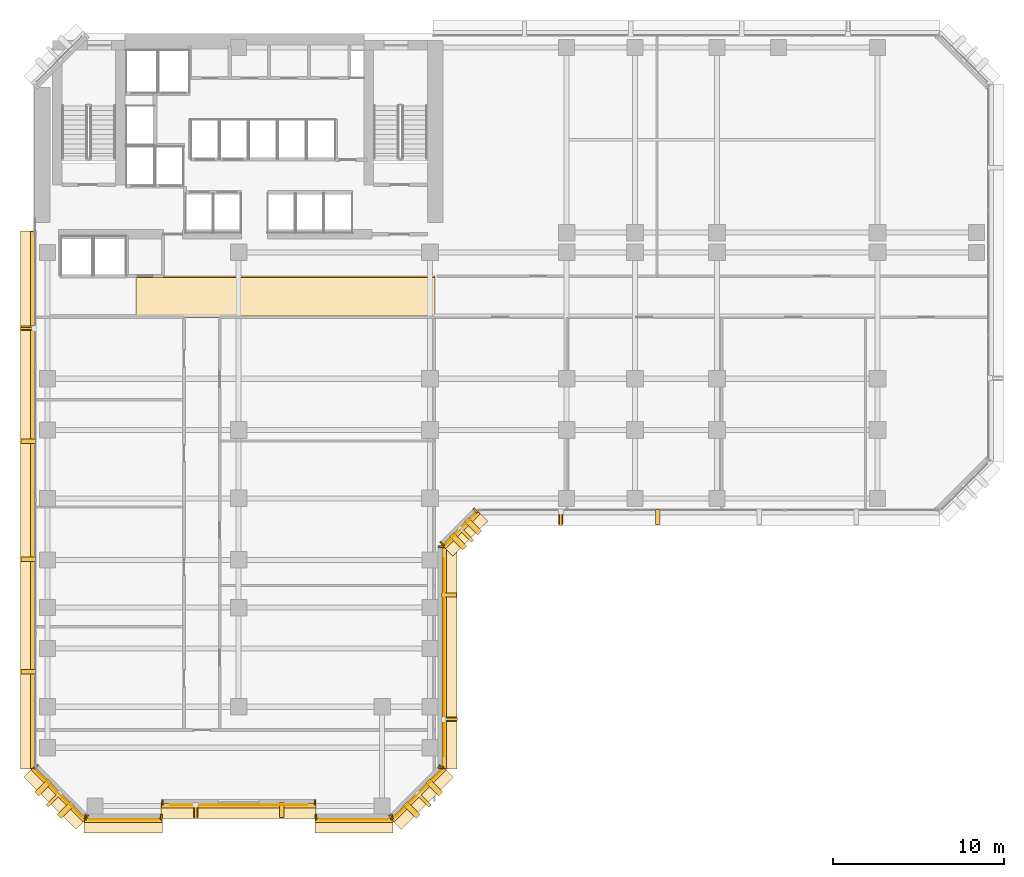
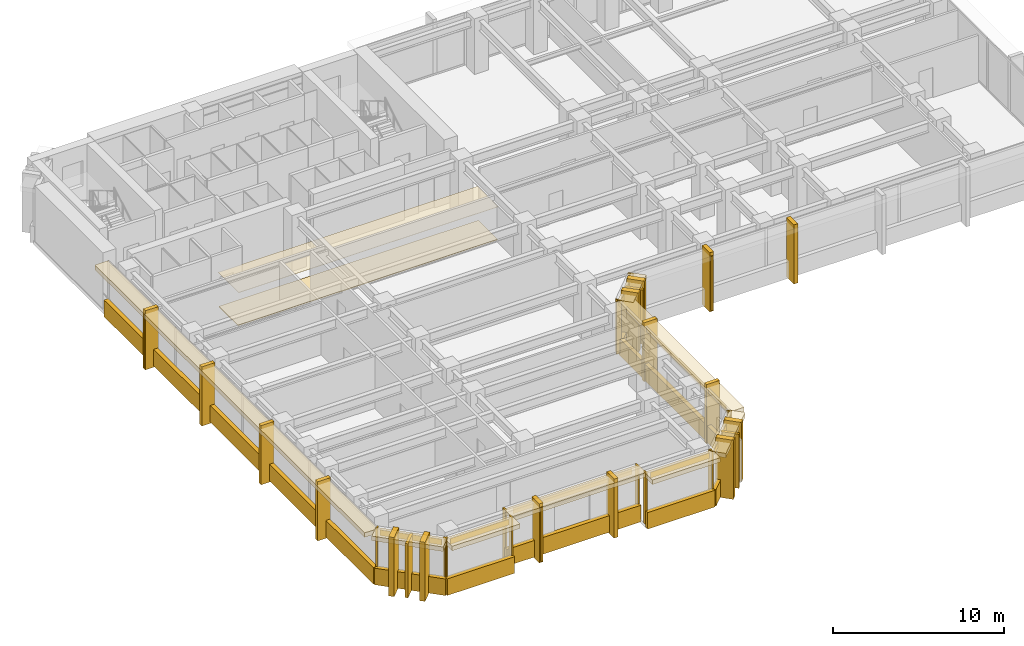
# One storey, part 10 of 14: 55 coverings, 7 shading devices.
"""IFC4 building model written with IfcOpenShell, lengths in metres."""

from ifc_helpers import new_model, si_unit, direction, frame, origin, origin_2d, place, context, subcontext, project, spatial, polyline, rectangle, outline, extrude, material, layer, layer_set, material_profile, profile_set, type_object, element, save


model = new_model("IFC4")

# Units and contexts
model_context = context("Model", 3, precision=1e-05, world=origin(), true_north=direction((0.0, 1.0)))
body_context = subcontext(model_context, "Body", "Model", "MODEL_VIEW")
ifc_project = project(units=[si_unit("LENGTHUNIT", "METRE"), si_unit("AREAUNIT", "SQUARE_METRE"), si_unit("VOLUMEUNIT", "CUBIC_METRE"), si_unit("PLANEANGLEUNIT", "RADIAN"), si_unit("MASSUNIT", "GRAM", prefix="KILO")], contexts=[model_context])

# Site, building, storey
site_placement = place(None, origin())
site = spatial("IfcSite", under=ifc_project, at=site_placement, CompositionType="ELEMENT")
building_placement = place(site_placement, origin())
building = spatial("IfcBuilding", under=site, at=building_placement, Name="Kefirva Bronze Tower", CompositionType="ELEMENT")
storey_placement = place(building_placement, frame((0.0, 0.0, 50.159912109375)))
storey = spatial("IfcBuildingStorey", under=building, at=storey_placement, Name="L11", CompositionType="ELEMENT", Elevation=50.159912109375)

# Coverings
ifc_material_1 = material(Name="Acoustic mineral tile")
ifc_layer_1 = layer(ifc_material_1, 0.02490234375, Name="Acoustic mineral tile")
ifc_layer_set_1 = layer_set([ifc_layer_1], Name="Acoustic mineral tile")
covering_type_1 = type_object("IfcCoveringType", Name="Acoustic Mineral Suspended Ceiling 25mm", PredefinedType="CEILING", material=ifc_layer_set_1)
covering_1_placement = place(storey_placement, frame((0.0, 0.0, 2.400146484375)))
element("IfcCovering", 1, at=covering_1_placement, inside=storey, type_object=covering_type_1, Name="L11 Corridor Acoustic Ceiling", PredefinedType="CEILING", context=body_context, shape_type="SweptSolid", body=[
    extrude(outline(polyline([(6.0, 29.39990234375), (23.5, 29.39990234375), (23.5, 31.800048828125), (6.0, 31.800048828125), (6.0, 29.39990234375)])), origin(), (0.0, 0.0, 1.0), 0.02490234375),
])
ifc_material_2 = material(Name="Bronze anodised aluminium", Category="aluminium")
ifc_layer_2 = layer(ifc_material_2, 0.02001953125, Name="Bronze anodised aluminium")
ifc_layer_set_2 = layer_set([ifc_layer_2], Name="Bronze anodised aluminium")
covering_type_2 = type_object("IfcCoveringType", Name="Anodised Bronze Spandrel Cladding 20mm", PredefinedType="CLADDING", material=ifc_layer_set_2)
covering_2_placement = place(storey_placement, frame((5.25, -0.010009765625, 3.2900390625), z_axis=(0.0, 0.0, 1.0), x_axis=(1.0, 0.0, 0.0)))
element("IfcCovering", 2, at=covering_2_placement, inside=storey, type_object=covering_type_2, Name="L11 Bronze Spandrel Cladding 1", PredefinedType="CLADDING", context=body_context, shape_type="SweptSolid", body=[
    extrude(rectangle(XDim=3.950927734375, YDim=0.02001953125, at=origin_2d()), origin(), (0.0, 0.0, 1.0), 0.39990234375),
])
for number, where, z_axis, x_axis, name in (
    (3, (3.034912109375, 0.159912109375, 0.0), (0.0, 0.0, 1.0), (1.0, 0.0, 0.0), "L11 Facade Joint Closure Panel 1S"),
    (4, (7.465087890625, 0.159912109375, 0.0), (0.0, 0.0, 1.0), (1.0, 0.0, 0.0), "L11 Facade Joint Closure Panel 1E"),
):
    element("IfcCovering", number, at=place(storey_placement, frame(where, z_axis=z_axis, x_axis=x_axis)), inside=storey, type_object=covering_type_2, Name=name, PredefinedType="CLADDING", context=body_context, shape_type="SweptSolid", body=[
        extrude(rectangle(XDim=0.10009765625, YDim=0.320068359375, at=origin_2d()), origin(), (0.0, 0.0, 1.0), 3.7099609375),
    ])
covering_3_placement = place(storey_placement, frame((5.25, -0.0400390625, -0.15966796875), z_axis=(0.0, 0.0, 1.0), x_axis=(1.0, 0.0, 0.0)))
element("IfcCovering", 5, at=covering_3_placement, inside=storey, type_object=covering_type_2, Name="L11 Streamline Horizontal Spandrel Band 0", PredefinedType="CLADDING", context=body_context, shape_type="SweptSolid", body=[
    extrude(rectangle(XDim=4.5400390625, YDim=0.280029296875, at=origin_2d()), origin(), (0.0, 0.0, 1.0), 1.179931640625),
])
covering_4_placement = place(storey_placement, frame((12.0, 0.840087890625, 3.2900390625), z_axis=(0.0, 0.0, 1.0), x_axis=(1.0, 0.0, 0.0)))
element("IfcCovering", 6, at=covering_4_placement, inside=storey, type_object=covering_type_2, Name="L11 Bronze Spandrel Cladding 2", PredefinedType="CLADDING", context=body_context, shape_type="SweptSolid", body=[
    extrude(rectangle(XDim=8.0009765625, YDim=0.02001953125, at=origin_2d()), origin(), (0.0, 0.0, 1.0), 0.39990234375),
])
for number, where, z_axis, x_axis, name in (
    (7, (7.534912109375, 1.010009765625, 0.0), (0.0, 0.0, 1.0), (1.0, 0.0, 0.0), "L11 Facade Joint Closure Panel 2S"),
    (8, (16.465087890625, 1.010009765625, 0.0), (0.0, 0.0, 1.0), (1.0, 0.0, 0.0), "L11 Facade Joint Closure Panel 2E"),
):
    element("IfcCovering", number, at=place(storey_placement, frame(where, z_axis=z_axis, x_axis=x_axis)), inside=storey, type_object=covering_type_2, Name=name, PredefinedType="CLADDING", context=body_context, shape_type="SweptSolid", body=[
        extrude(rectangle(XDim=0.10009765625, YDim=0.320068359375, at=origin_2d()), origin(), (0.0, 0.0, 1.0), 3.7099609375),
    ])
covering_5_placement = place(storey_placement, frame((12.0, 0.81005859375, -0.15966796875), z_axis=(0.0, 0.0, 1.0), x_axis=(1.0, 0.0, 0.0)))
element("IfcCovering", 9, at=covering_5_placement, inside=storey, type_object=covering_type_2, Name="L11 Streamline Horizontal Spandrel Band 2", PredefinedType="CLADDING", context=body_context, shape_type="SweptSolid", body=[
    extrude(rectangle(XDim=9.0400390625, YDim=0.280029296875, at=origin_2d()), origin(), (0.0, 0.0, 1.0), 1.179931640625),
])
covering_6_placement = place(storey_placement, frame((18.75, -0.010009765625, 3.2900390625), z_axis=(0.0, 0.0, 1.0), x_axis=(1.0, 0.0, 0.0)))
element("IfcCovering", 10, at=covering_6_placement, inside=storey, type_object=covering_type_2, Name="L11 Bronze Spandrel Cladding 3", PredefinedType="CLADDING", context=body_context, shape_type="SweptSolid", body=[
    extrude(rectangle(XDim=3.950927734375, YDim=0.02001953125, at=origin_2d()), origin(), (0.0, 0.0, 1.0), 0.39990234375),
])
for number, where, z_axis, x_axis, name in (
    (11, (16.534912109375, 0.159912109375, 0.0), (0.0, 0.0, 1.0), (1.0, 0.0, 0.0), "L11 Facade Joint Closure Panel 3S"),
    (12, (20.965087890625, 0.159912109375, 0.0), (0.0, 0.0, 1.0), (1.0, 0.0, 0.0), "L11 Facade Joint Closure Panel 3E"),
):
    element("IfcCovering", number, at=place(storey_placement, frame(where, z_axis=z_axis, x_axis=x_axis)), inside=storey, type_object=covering_type_2, Name=name, PredefinedType="CLADDING", context=body_context, shape_type="SweptSolid", body=[
        extrude(rectangle(XDim=0.10009765625, YDim=0.320068359375, at=origin_2d()), origin(), (0.0, 0.0, 1.0), 3.7099609375),
    ])
covering_7_placement = place(storey_placement, frame((18.75, -0.0400390625, -0.15966796875), z_axis=(0.0, 0.0, 1.0), x_axis=(1.0, 0.0, 0.0)))
element("IfcCovering", 13, at=covering_7_placement, inside=storey, type_object=covering_type_2, Name="L11 Streamline Horizontal Spandrel Band 4", PredefinedType="CLADDING", context=body_context, shape_type="SweptSolid", body=[
    extrude(rectangle(XDim=4.5400390625, YDim=0.280029296875, at=origin_2d()), origin(), (0.0, 0.0, 1.0), 1.179931640625),
])
covering_8_placement = place(storey_placement, frame((22.507080078125, 1.492919921875, 3.2900390625), z_axis=(0.0, 0.0, 1.0), x_axis=(0.707106781187, 0.707106781187, 0.0)))
element("IfcCovering", 14, at=covering_8_placement, inside=storey, type_object=covering_type_2, Name="L11 Bronze Spandrel Cladding 4", PredefinedType="CLADDING", context=body_context, shape_type="SweptSolid", body=[
    extrude(rectangle(XDim=3.719482421875, YDim=0.02001953125, at=origin_2d()), origin(), (0.0, 0.0, 1.0), 0.39990234375),
])
for number, where, z_axis, x_axis, name in (
    (15, (20.91162109375, 0.137939453125, 0.0), (0.0, 0.0, 1.0), (0.707106781187, 0.707106781187, 0.0), "L11 Facade Joint Closure Panel 4S"),
    (16, (23.862060546875, 3.08837890625, 0.0), (0.0, 0.0, 1.0), (0.707106781187, 0.707106781187, 0.0), "L11 Facade Joint Closure Panel 4E"),
):
    element("IfcCovering", number, at=place(storey_placement, frame(where, z_axis=z_axis, x_axis=x_axis)), inside=storey, type_object=covering_type_2, Name=name, PredefinedType="CLADDING", context=body_context, shape_type="SweptSolid", body=[
        extrude(rectangle(XDim=0.10009765625, YDim=0.320068359375, at=origin_2d()), origin(), (0.0, 0.0, 1.0), 3.7099609375),
    ])
covering_9_placement = place(storey_placement, frame((22.5283203125, 1.4716796875, -0.15966796875), z_axis=(0.0, 0.0, 1.0), x_axis=(0.707106781187, 0.707106781187, 0.0)))
element("IfcCovering", 17, at=covering_9_placement, inside=storey, type_object=covering_type_2, Name="L11 Streamline Horizontal Spandrel Band 5", PredefinedType="CLADDING", context=body_context, shape_type="SweptSolid", body=[
    extrude(rectangle(XDim=4.28271484375, YDim=0.280029296875, at=origin_2d()), origin(), (0.0, 0.0, 1.0), 1.179931640625),
])
covering_10_placement = place(storey_placement, frame((24.010009765625, 9.5, 3.2900390625), z_axis=(0.0, 0.0, 1.0), x_axis=(0.0, 1.0, 0.0)))
element("IfcCovering", 18, at=covering_10_placement, inside=storey, type_object=covering_type_2, Name="L11 Bronze Spandrel Cladding 5", PredefinedType="CLADDING", context=body_context, shape_type="SweptSolid", body=[
    extrude(rectangle(XDim=11.60107421875, YDim=0.02001953125, at=origin_2d()), origin(), (0.0, 0.0, 1.0), 0.39990234375),
])
for number, where, z_axis, x_axis, name in (
    (19, (23.840087890625, 3.034912109375, 0.0), (0.0, 0.0, 1.0), (0.0, 1.0, 0.0), "L11 Facade Joint Closure Panel 5S"),
    (20, (23.840087890625, 15.965087890625, 0.0), (0.0, 0.0, 1.0), (0.0, 1.0, 0.0), "L11 Facade Joint Closure Panel 5E"),
):
    element("IfcCovering", number, at=place(storey_placement, frame(where, z_axis=z_axis, x_axis=x_axis)), inside=storey, type_object=covering_type_2, Name=name, PredefinedType="CLADDING", context=body_context, shape_type="SweptSolid", body=[
        extrude(rectangle(XDim=0.10009765625, YDim=0.320068359375, at=origin_2d()), origin(), (0.0, 0.0, 1.0), 3.7099609375),
    ])
covering_11_placement = place(storey_placement, frame((24.0400390625, 9.5, -0.15966796875), z_axis=(0.0, 0.0, 1.0), x_axis=(0.0, 1.0, 0.0)))
element("IfcCovering", 21, at=covering_11_placement, inside=storey, type_object=covering_type_2, Name="L11 Streamline Horizontal Spandrel Band 6", PredefinedType="CLADDING", context=body_context, shape_type="SweptSolid", body=[
    extrude(rectangle(XDim=13.0400390625, YDim=0.280029296875, at=origin_2d()), origin(), (0.0, 0.0, 1.0), 1.179931640625),
])
covering_12_placement = place(storey_placement, frame((25.007080078125, 16.992919921875, 3.2900390625), z_axis=(0.0, 0.0, 1.0), x_axis=(0.707106781187, 0.707106781187, 0.0)))
element("IfcCovering", 22, at=covering_12_placement, inside=storey, type_object=covering_type_2, Name="L11 Bronze Spandrel Cladding 6", PredefinedType="CLADDING", context=body_context, shape_type="SweptSolid", body=[
    extrude(rectangle(XDim=2.446533203125, YDim=0.02001953125, at=origin_2d()), origin(), (0.0, 0.0, 1.0), 0.39990234375),
])
for number, where, z_axis, x_axis, name in (
    (23, (23.91162109375, 16.137939453125, 0.0), (0.0, 0.0, 1.0), (0.707106781187, 0.707106781187, 0.0), "L11 Facade Joint Closure Panel 6S"),
    (24, (25.862060546875, 18.08837890625, 0.0), (0.0, 0.0, 1.0), (0.707106781187, 0.707106781187, 0.0), "L11 Facade Joint Closure Panel 6E"),
):
    element("IfcCovering", number, at=place(storey_placement, frame(where, z_axis=z_axis, x_axis=x_axis)), inside=storey, type_object=covering_type_2, Name=name, PredefinedType="CLADDING", context=body_context, shape_type="SweptSolid", body=[
        extrude(rectangle(XDim=0.10009765625, YDim=0.320068359375, at=origin_2d()), origin(), (0.0, 0.0, 1.0), 3.7099609375),
    ])
covering_13_placement = place(storey_placement, frame((25.0283203125, 16.9716796875, -0.15966796875), z_axis=(0.0, 0.0, 1.0), x_axis=(0.707106781187, 0.707106781187, 0.0)))
element("IfcCovering", 25, at=covering_13_placement, inside=storey, type_object=covering_type_2, Name="L11 Streamline Horizontal Spandrel Band 7", PredefinedType="CLADDING", context=body_context, shape_type="SweptSolid", body=[
    extrude(rectangle(XDim=2.868408203125, YDim=0.280029296875, at=origin_2d()), origin(), (0.0, 0.0, 1.0), 1.179931640625),
])
covering_14_placement = place(storey_placement, frame((-0.0400390625, 18.697509765625, -0.15966796875), z_axis=(0.0, 0.0, 1.0), x_axis=(0.0, -1.0, 0.0)))
element("IfcCovering", 26, at=covering_14_placement, inside=storey, type_object=covering_type_2, Name="L11 Streamline Horizontal Spandrel Band 14", PredefinedType="CLADDING", context=body_context, shape_type="SweptSolid", body=[
    extrude(rectangle(XDim=31.43505859375, YDim=0.280029296875, at=origin_2d()), origin(), (0.0, 0.0, 1.0), 1.179931640625),
])
covering_15_placement = place(storey_placement, frame((1.492919921875, 1.492919921875, 3.2900390625), z_axis=(0.0, 0.0, 1.0), x_axis=(0.707106781187, -0.707106781187, 0.0)))
element("IfcCovering", 27, at=covering_15_placement, inside=storey, type_object=covering_type_2, Name="L11 Bronze Spandrel Cladding 10", PredefinedType="CLADDING", context=body_context, shape_type="SweptSolid", body=[
    extrude(rectangle(XDim=3.719482421875, YDim=0.02001953125, at=origin_2d()), origin(), (0.0, 0.0, 1.0), 0.39990234375),
])
for number, where, z_axis, x_axis, name in (
    (28, (0.137939453125, 3.08837890625, 0.0), (0.0, 0.0, 1.0), (0.707106781187, -0.707106781187, 0.0), "L11 Facade Joint Closure Panel 10S"),
    (29, (3.08837890625, 0.137939453125, 0.0), (0.0, 0.0, 1.0), (0.707106781187, -0.707106781187, 0.0), "L11 Facade Joint Closure Panel 10E"),
):
    element("IfcCovering", number, at=place(storey_placement, frame(where, z_axis=z_axis, x_axis=x_axis)), inside=storey, type_object=covering_type_2, Name=name, PredefinedType="CLADDING", context=body_context, shape_type="SweptSolid", body=[
        extrude(rectangle(XDim=0.10009765625, YDim=0.320068359375, at=origin_2d()), origin(), (0.0, 0.0, 1.0), 3.7099609375),
    ])
covering_16_placement = place(storey_placement, frame((1.4716796875, 1.4716796875, -0.15966796875), z_axis=(0.0, 0.0, 1.0), x_axis=(0.707106781187, -0.707106781187, 0.0)))
element("IfcCovering", 30, at=covering_16_placement, inside=storey, type_object=covering_type_2, Name="L11 Streamline Horizontal Spandrel Band 15", PredefinedType="CLADDING", context=body_context, shape_type="SweptSolid", body=[
    extrude(rectangle(XDim=4.28271484375, YDim=0.280029296875, at=origin_2d()), origin(), (0.0, 0.0, 1.0), 1.179931640625),
])

# Shading devices
ifc_material_profile_1 = material_profile(ifc_material_2, rectangle(XDim=0.179931640625, YDim=1.080078125, at=origin_2d()), Name="BRONZE BUTTRESS FIN 180x1080")
ifc_profile_set_1 = profile_set([ifc_material_profile_1], Name="Bronze anodised aluminium")
shading_device_type_1 = type_object("IfcShadingDeviceType", Name="Chamfered Corner Buttress Bronze Fin 1080mm", PredefinedType="USERDEFINED", material=ifc_profile_set_1)
for number, where, z_axis, x_axis, name in (
    (31, (22.8251953125, 1.1748046875, -0.139892578125), (0.0, 0.0, 1.0), (0.707106781187, 0.707106781187, 0.0), "L11 Chamfered Corner Buttress Fin 4"),
    (32, (25.3251953125, 16.6748046875, -0.139892578125), (0.0, 0.0, 1.0), (0.707106781187, 0.707106781187, 0.0), "L11 Chamfered Corner Buttress Fin 8"),
    (33, (1.1748046875, 1.1748046875, -0.139892578125), (0.0, 0.0, 1.0), (0.707106781187, -0.707106781187, 0.0), "L11 Chamfered Corner Buttress Fin 30"),
):
    element("IfcShadingDevice", number, at=place(storey_placement, frame(where, z_axis=z_axis, x_axis=x_axis)), inside=storey, type_object=shading_device_type_1, Name=name, ObjectType="VERTICAL FIN", PredefinedType="USERDEFINED", context=body_context, shape_type="SweptSolid", body=[
        extrude(rectangle(XDim=0.179931640625, YDim=1.080078125, at=origin_2d()), origin(), (0.0, 0.0, 1.0), 3.85009765625),
    ])

# Coverings
ifc_material_3 = material(Name="Calcium sulphate access tile")
ifc_layer_3 = layer(ifc_material_3, 0.044921875, Name="Calcium sulphate access tile")
ifc_layer_set_3 = layer_set([ifc_layer_3], Name="Calcium sulphate access tile")
covering_type_3 = type_object("IfcCoveringType", Name="Raised Access Office Flooring 45mm", PredefinedType="FLOORING", material=ifc_layer_set_3)
covering_17_placement = place(storey_placement, origin())
element("IfcCovering", 34, at=covering_17_placement, inside=storey, type_object=covering_type_3, Name="L11 Architectural Finish Flooring", PredefinedType="FLOORING", context=body_context, shape_type="SweptSolid", body=[
    extrude(outline(polyline([(6.0, 29.47998046875), (23.5, 29.47998046875), (23.5, 31.719970703125), (6.0, 31.719970703125), (6.0, 29.47998046875)])), origin(), (0.0, 0.0, 1.0), 0.045166015625),
])
ifc_layer_4 = layer(ifc_material_2, 0.179931640625, Name="Bronze anodised aluminium")
ifc_layer_set_4 = layer_set([ifc_layer_4], Name="Bronze anodised aluminium")
covering_type_4 = type_object("IfcCoveringType", Name="Streamline Bronze Sunshade Eyebrow Cladding 180mm", PredefinedType="CLADDING", material=ifc_layer_set_4)
covering_18_placement = place(storey_placement, frame((5.25, -0.31005859375, 3.39013671875), z_axis=(0.0, 0.0, 1.0), x_axis=(1.0, 0.0, 0.0)))
element("IfcCovering", 35, at=covering_18_placement, inside=storey, type_object=covering_type_4, Name="L11 Streamline Bronze Sunshade Eyebrow 0", PredefinedType="CLADDING", context=body_context, shape_type="SweptSolid", body=[
    extrude(rectangle(XDim=4.580078125, YDim=0.93994140625, at=origin_2d()), origin(), (0.0, 0.0, 1.0), 0.320068359375),
])
covering_19_placement = place(storey_placement, frame((12.0, 0.5400390625, 3.39013671875), z_axis=(0.0, 0.0, 1.0), x_axis=(1.0, 0.0, 0.0)))
element("IfcCovering", 36, at=covering_19_placement, inside=storey, type_object=covering_type_4, Name="L11 Streamline Bronze Sunshade Eyebrow 2", PredefinedType="CLADDING", context=body_context, shape_type="SweptSolid", body=[
    extrude(rectangle(XDim=9.080078125, YDim=0.93994140625, at=origin_2d()), origin(), (0.0, 0.0, 1.0), 0.320068359375),
])
covering_20_placement = place(storey_placement, frame((18.75, -0.31005859375, 3.39013671875), z_axis=(0.0, 0.0, 1.0), x_axis=(1.0, 0.0, 0.0)))
element("IfcCovering", 37, at=covering_20_placement, inside=storey, type_object=covering_type_4, Name="L11 Streamline Bronze Sunshade Eyebrow 4", PredefinedType="CLADDING", context=body_context, shape_type="SweptSolid", body=[
    extrude(rectangle(XDim=4.580078125, YDim=0.93994140625, at=origin_2d()), origin(), (0.0, 0.0, 1.0), 0.320068359375),
])
covering_21_placement = place(storey_placement, frame((22.71923828125, 1.28076171875, 3.39013671875), z_axis=(0.0, 0.0, 1.0), x_axis=(0.707106781187, 0.707106781187, 0.0)))
element("IfcCovering", 38, at=covering_21_placement, inside=storey, type_object=covering_type_4, Name="L11 Streamline Bronze Sunshade Eyebrow 5", PredefinedType="CLADDING", context=body_context, shape_type="SweptSolid", body=[
    extrude(rectangle(XDim=4.322509765625, YDim=0.93994140625, at=origin_2d()), origin(), (0.0, 0.0, 1.0), 0.320068359375),
])
covering_22_placement = place(storey_placement, frame((24.31005859375, 9.5, 3.39013671875), z_axis=(0.0, 0.0, 1.0), x_axis=(0.0, 1.0, 0.0)))
element("IfcCovering", 39, at=covering_22_placement, inside=storey, type_object=covering_type_4, Name="L11 Streamline Bronze Sunshade Eyebrow 6", PredefinedType="CLADDING", context=body_context, shape_type="SweptSolid", body=[
    extrude(rectangle(XDim=13.080078125, YDim=0.93994140625, at=origin_2d()), origin(), (0.0, 0.0, 1.0), 0.320068359375),
])
covering_23_placement = place(storey_placement, frame((25.21923828125, 16.78076171875, 3.39013671875), z_axis=(0.0, 0.0, 1.0), x_axis=(0.707106781187, 0.707106781187, 0.0)))
element("IfcCovering", 40, at=covering_23_placement, inside=storey, type_object=covering_type_4, Name="L11 Streamline Bronze Sunshade Eyebrow 7", PredefinedType="CLADDING", context=body_context, shape_type="SweptSolid", body=[
    extrude(rectangle(XDim=2.908447265625, YDim=0.93994140625, at=origin_2d()), origin(), (0.0, 0.0, 1.0), 0.320068359375),
])
covering_24_placement = place(storey_placement, frame((-0.31005859375, 18.697509765625, 3.39013671875), z_axis=(0.0, 0.0, 1.0), x_axis=(0.0, -1.0, 0.0)))
element("IfcCovering", 41, at=covering_24_placement, inside=storey, type_object=covering_type_4, Name="L11 Streamline Bronze Sunshade Eyebrow 14", PredefinedType="CLADDING", context=body_context, shape_type="SweptSolid", body=[
    extrude(rectangle(XDim=31.47509765625, YDim=0.93994140625, at=origin_2d()), origin(), (0.0, 0.0, 1.0), 0.320068359375),
])
covering_25_placement = place(storey_placement, frame((1.28076171875, 1.28076171875, 3.39013671875), z_axis=(0.0, 0.0, 1.0), x_axis=(0.707106781187, -0.707106781187, 0.0)))
element("IfcCovering", 42, at=covering_25_placement, inside=storey, type_object=covering_type_4, Name="L11 Streamline Bronze Sunshade Eyebrow 15", PredefinedType="CLADDING", context=body_context, shape_type="SweptSolid", body=[
    extrude(rectangle(XDim=4.322509765625, YDim=0.93994140625, at=origin_2d()), origin(), (0.0, 0.0, 1.0), 0.320068359375),
])
ifc_layer_5 = layer(ifc_material_2, 0.260009765625, Name="Bronze anodised aluminium")
ifc_layer_set_5 = layer_set([ifc_layer_5], Name="Bronze anodised aluminium")
covering_type_5 = type_object("IfcCoveringType", Name="Unbroken Bronze Buttress Fin Cladding 260mm", PredefinedType="CLADDING", material=ifc_layer_set_5)
for number, where, z_axis, x_axis, name in (
    (43, (9.47998046875, 0.550048828125, -0.25), (0.0, 0.0, 1.0), (1.0, 0.0, 0.0), "L11 Unbroken Vertical Bronze Rib Fin 1"),
    (44, (14.52001953125, 0.550048828125, -0.25), (0.0, 0.0, 1.0), (1.0, 0.0, 0.0), "L11 Unbroken Vertical Bronze Rib Fin 2"),
):
    element("IfcCovering", number, at=place(storey_placement, frame(where, z_axis=z_axis, x_axis=x_axis)), inside=storey, type_object=covering_type_5, Name=name, PredefinedType="CLADDING", context=body_context, shape_type="SweptSolid", body=[
        extrude(rectangle(XDim=0.260009765625, YDim=0.8798828125, at=origin_2d()), origin(), (0.0, 0.0, 1.0), 4.2099609375),
    ])
for number, where, z_axis, x_axis, name in (
    (45, (22.122802734375, 0.55712890625, -0.25), (0.0, 0.0, 1.0), (0.707106781187, 0.707106781187, 0.0), "L11 Chamfered Corner Buttress Fin Cladding 3"),
    (46, (23.44287109375, 1.877197265625, -0.25), (0.0, 0.0, 1.0), (0.707106781187, 0.707106781187, 0.0), "L11 Chamfered Corner Buttress Fin Cladding 4"),
):
    element("IfcCovering", number, at=place(storey_placement, frame(where, z_axis=z_axis, x_axis=x_axis)), inside=storey, type_object=covering_type_5, Name=name, PredefinedType="CLADDING", context=body_context, shape_type="SweptSolid", body=[
        extrude(rectangle(XDim=0.340087890625, YDim=1.080078125, at=origin_2d()), origin(), (0.0, 0.0, 1.0), 4.2099609375),
    ])
for number, where, z_axis, x_axis, name in (
    (47, (24.300048828125, 5.860107421875, -0.25), (0.0, 0.0, 1.0), (0.0, 1.0, 0.0), "L11 Unbroken Vertical Bronze Rib Fin 5"),
    (48, (24.300048828125, 13.139892578125, -0.25), (0.0, 0.0, 1.0), (0.0, 1.0, 0.0), "L11 Unbroken Vertical Bronze Rib Fin 6"),
):
    element("IfcCovering", number, at=place(storey_placement, frame(where, z_axis=z_axis, x_axis=x_axis)), inside=storey, type_object=covering_type_5, Name=name, PredefinedType="CLADDING", context=body_context, shape_type="SweptSolid", body=[
        extrude(rectangle(XDim=0.260009765625, YDim=0.8798828125, at=origin_2d()), origin(), (0.0, 0.0, 1.0), 4.2099609375),
    ])
for number, where, z_axis, x_axis, name in (
    (49, (24.8427734375, 16.277099609375, -0.25), (0.0, 0.0, 1.0), (0.707106781187, 0.707106781187, 0.0), "L11 Chamfered Corner Buttress Fin Cladding 7"),
    (50, (25.722900390625, 17.1572265625, -0.25), (0.0, 0.0, 1.0), (0.707106781187, 0.707106781187, 0.0), "L11 Chamfered Corner Buttress Fin Cladding 8"),
):
    element("IfcCovering", number, at=place(storey_placement, frame(where, z_axis=z_axis, x_axis=x_axis)), inside=storey, type_object=covering_type_5, Name=name, PredefinedType="CLADDING", context=body_context, shape_type="SweptSolid", body=[
        extrude(rectangle(XDim=0.340087890625, YDim=1.080078125, at=origin_2d()), origin(), (0.0, 0.0, 1.0), 4.2099609375),
    ])
for number, where, z_axis, x_axis, name in (
    (51, (30.860107421875, 17.699951171875, -0.25), (0.0, 0.0, 1.0), (1.0, 0.0, 0.0), "L11 Unbroken Vertical Bronze Rib Fin 9"),
    (52, (36.530029296875, 17.699951171875, -0.25), (0.0, 0.0, 1.0), (1.0, 0.0, 0.0), "L11 Unbroken Vertical Bronze Rib Fin 10"),
    (53, (-0.300048828125, 28.743896484375, -0.25), (0.0, 0.0, 1.0), (0.0, -1.0, 0.0), "L11 Unbroken Vertical Bronze Rib Fin 25"),
    (54, (-0.300048828125, 22.15087890625, -0.25), (0.0, 0.0, 1.0), (0.0, -1.0, 0.0), "L11 Unbroken Vertical Bronze Rib Fin 26"),
    (55, (-0.300048828125, 15.244140625, -0.25), (0.0, 0.0, 1.0), (0.0, -1.0, 0.0), "L11 Unbroken Vertical Bronze Rib Fin 27"),
    (56, (-0.300048828125, 8.651123046875, -0.25), (0.0, 0.0, 1.0), (0.0, -1.0, 0.0), "L11 Unbroken Vertical Bronze Rib Fin 28"),
):
    element("IfcCovering", number, at=place(storey_placement, frame(where, z_axis=z_axis, x_axis=x_axis)), inside=storey, type_object=covering_type_5, Name=name, PredefinedType="CLADDING", context=body_context, shape_type="SweptSolid", body=[
        extrude(rectangle(XDim=0.260009765625, YDim=0.8798828125, at=origin_2d()), origin(), (0.0, 0.0, 1.0), 4.2099609375),
    ])
for number, where, z_axis, x_axis, name in (
    (57, (0.55712890625, 1.877197265625, -0.25), (0.0, 0.0, 1.0), (0.707106781187, -0.707106781187, 0.0), "L11 Chamfered Corner Buttress Fin Cladding 29"),
    (58, (1.877197265625, 0.55712890625, -0.25), (0.0, 0.0, 1.0), (0.707106781187, -0.707106781187, 0.0), "L11 Chamfered Corner Buttress Fin Cladding 30"),
):
    element("IfcCovering", number, at=place(storey_placement, frame(where, z_axis=z_axis, x_axis=x_axis)), inside=storey, type_object=covering_type_5, Name=name, PredefinedType="CLADDING", context=body_context, shape_type="SweptSolid", body=[
        extrude(rectangle(XDim=0.340087890625, YDim=1.080078125, at=origin_2d()), origin(), (0.0, 0.0, 1.0), 4.2099609375),
    ])

# Shading devices
ifc_material_profile_2 = material_profile(ifc_material_2, rectangle(XDim=0.139892578125, YDim=0.8798828125, at=origin_2d()), Name="BRONZE FIN 140x880")
ifc_profile_set_2 = profile_set([ifc_material_profile_2], Name="Bronze anodised aluminium")
shading_device_type_2 = type_object("IfcShadingDeviceType", Name="Unbroken Vertical Bronze Facade Fin 880mm", PredefinedType="USERDEFINED", material=ifc_profile_set_2)
for number, where, z_axis, x_axis, name in (
    (59, (9.47998046875, 0.489990234375, -0.139892578125), (0.0, 0.0, 1.0), (1.0, 0.0, 0.0), "L11 Vertical Bronze Rib Fin 1"),
    (60, (24.360107421875, 5.860107421875, -0.139892578125), (0.0, 0.0, 1.0), (0.0, 1.0, 0.0), "L11 Vertical Bronze Rib Fin 5"),
    (61, (30.860107421875, 17.639892578125, -0.139892578125), (0.0, 0.0, 1.0), (1.0, 0.0, 0.0), "L11 Vertical Bronze Rib Fin 9"),
    (62, (-0.360107421875, 28.743896484375, -0.139892578125), (0.0, 0.0, 1.0), (0.0, -1.0, 0.0), "L11 Vertical Bronze Rib Fin 25"),
):
    element("IfcShadingDevice", number, at=place(storey_placement, frame(where, z_axis=z_axis, x_axis=x_axis)), inside=storey, type_object=shading_device_type_2, Name=name, ObjectType="VERTICAL FIN", PredefinedType="USERDEFINED", context=body_context, shape_type="SweptSolid", body=[
        extrude(rectangle(XDim=0.139892578125, YDim=0.8798828125, at=origin_2d()), origin(), (0.0, 0.0, 1.0), 3.85009765625),
    ])

save(model, "model.ifc")
